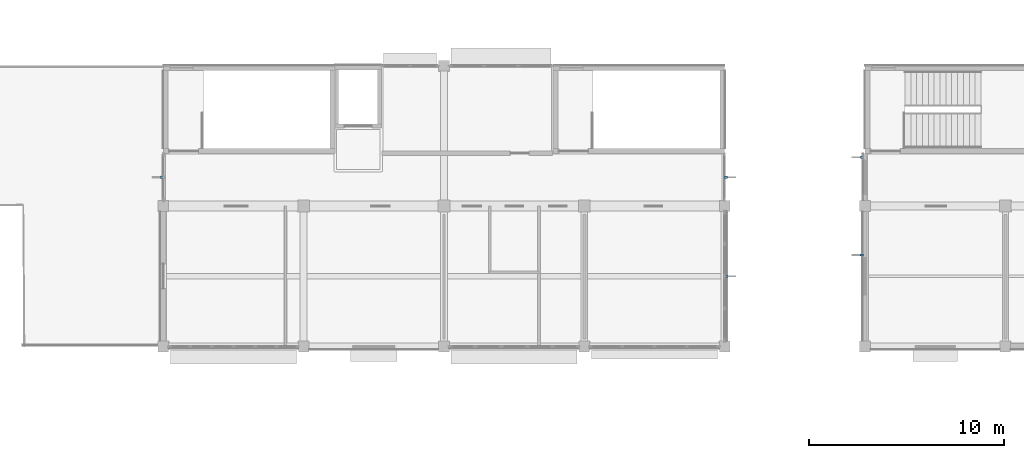
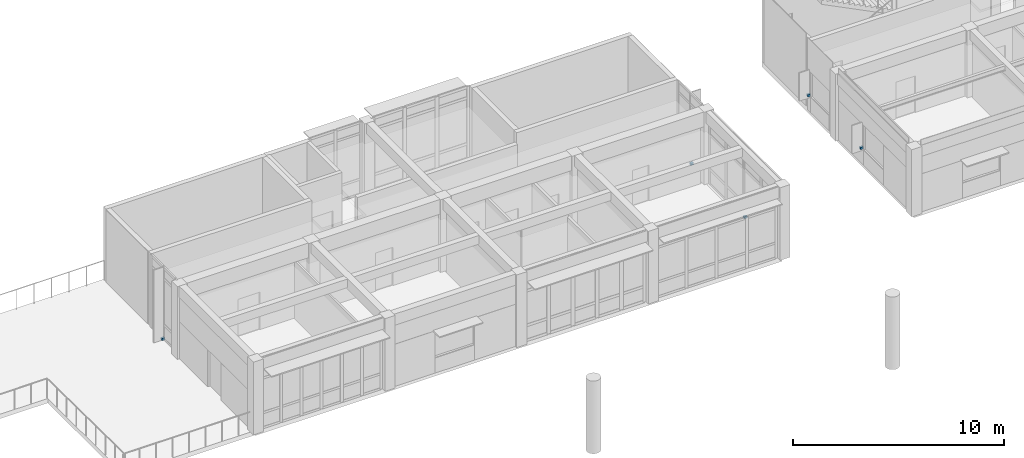
# One storey, part 25 of 41: 5 discrete accessories.
"""IFC4 building model written with IfcOpenShell, lengths in metres."""

from ifc_helpers import new_model, si_unit, direction, frame, origin, origin_2d, place, context, subcontext, project, spatial, rectangle, extrude, material, type_object, element, save


model = new_model("IFC4")

# Units and contexts
model_context = context("Model", 3, precision=1e-05, world=origin(), true_north=direction((0.0, 1.0)))
body_context = subcontext(model_context, "Body", "Model", "MODEL_VIEW")
ifc_project = project(units=[si_unit("LENGTHUNIT", "METRE"), si_unit("AREAUNIT", "SQUARE_METRE"), si_unit("VOLUMEUNIT", "CUBIC_METRE"), si_unit("PLANEANGLEUNIT", "RADIAN"), si_unit("MASSUNIT", "GRAM", prefix="KILO")], contexts=[model_context])

# Site, building, storey
site_placement = place(None, origin())
site = spatial("IfcSite", under=ifc_project, at=site_placement, CompositionType="ELEMENT")
building_placement = place(site_placement, origin())
building = spatial("IfcBuilding", under=site, at=building_placement, Name="Namkhue Oval Health Centre", CompositionType="ELEMENT")
storey_placement = place(building_placement, frame((0.0, 0.0, 13.800048828125)))
storey = spatial("IfcBuildingStorey", under=building, at=storey_placement, Name="L03", CompositionType="ELEMENT", Elevation=13.800048828125)

# Discrete accessories
ifc_material = material(Name="Structural steel S355JR (TCVN CCT38)", Category="steel")
discrete_accessory_type = type_object("IfcDiscreteAccessoryType", Name="FACADE SHADING BRACKET", PredefinedType="BRACKET", material=ifc_material)
for number, where, z_axis, x_axis, name in (
    (1, (86.4599609375, 18.0, 0.0), (0.0, 0.0, 1.0), (1.0, 0.0, 0.0), "Solar Fin Bracket 232"),
    (2, (86.4599609375, 23.08447265625, 0.0), (0.0, 0.0, 1.0), (1.0, 0.0, 0.0), "Solar Fin Bracket 233"),
    (3, (57.5400390625, 23.08447265625, 0.0), (0.0, 0.0, 1.0), (-1.0, 0.0, 0.0), "Solar Fin Bracket 236"),
    (4, (93.43994140625, 24.099609375, 0.89990234375), (0.0, 0.0, 1.0), (-1.0, 0.0, 0.0), "Window Fin Bracket 284"),
    (5, (93.43505859375, 19.090087890625, 0.89990234375), (0.0, 0.0, 1.0), (-1.0, 0.0, 0.0), "Window Fin Bracket 285"),
):
    element("IfcDiscreteAccessory", number, at=place(storey_placement, frame(where, z_axis=z_axis, x_axis=x_axis)), inside=storey, type_object=discrete_accessory_type, Name=name, PredefinedType="BRACKET", context=body_context, shape_type="SweptSolid", body=[
        extrude(rectangle(XDim=0.159912109375, YDim=0.1201171875, at=origin_2d()), origin(), (0.0, 0.0, 1.0), 0.1201171875),
    ])

save(model, "model.ifc")
